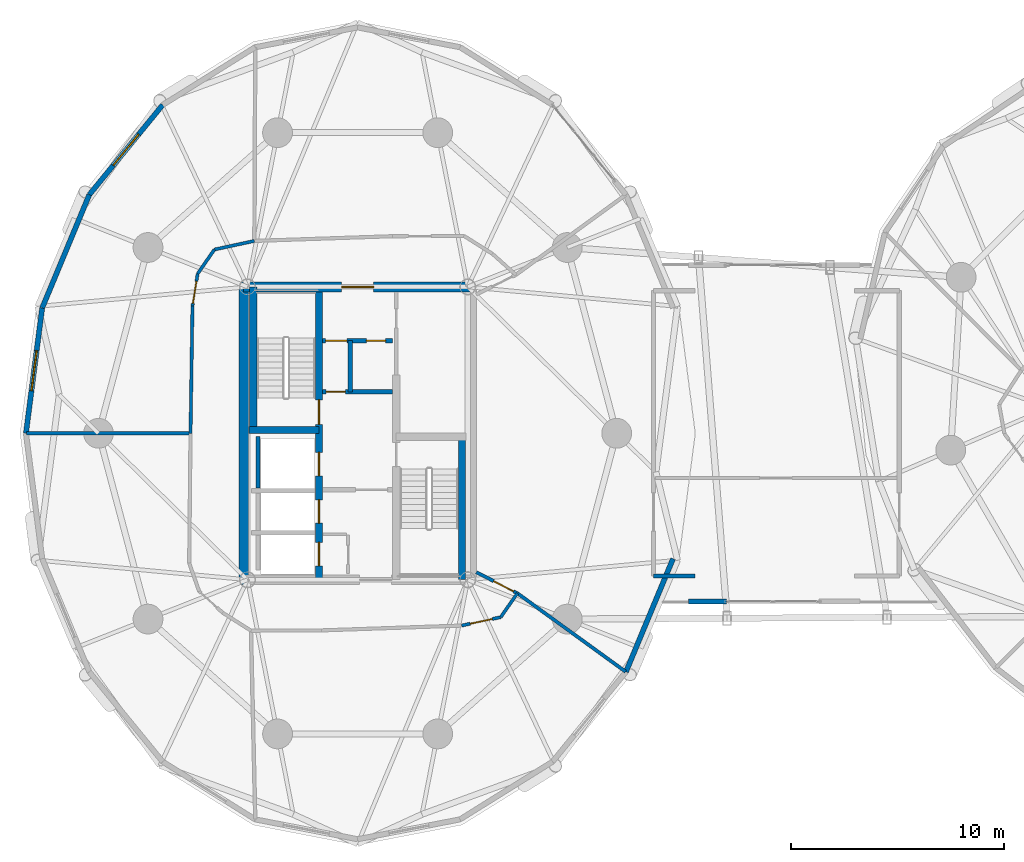
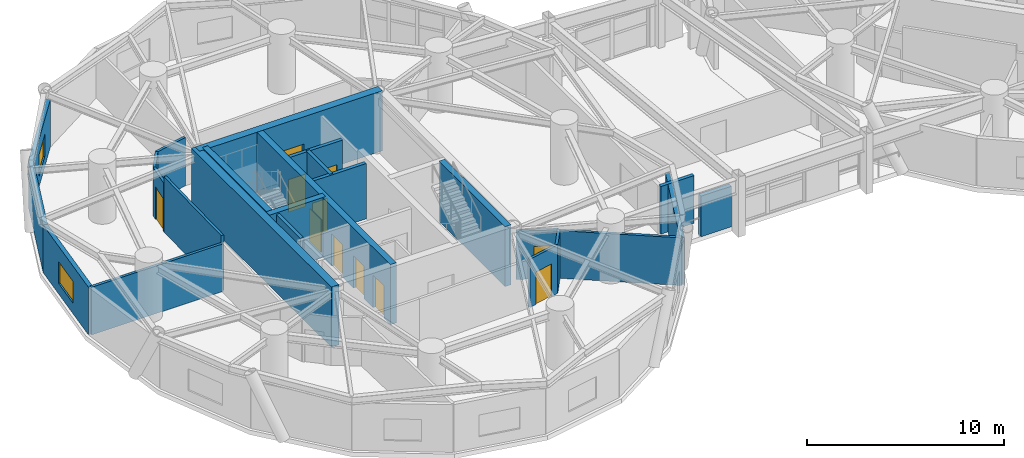
# One storey, part 13 of 19: 25 walls, 11 doors, 2 windows, 13 openings.
"""IFC4 building model written with IfcOpenShell, lengths in metres."""

from ifc_helpers import new_model, si_unit, direction, frame, frame_2d, origin, place, context, subcontext, project, spatial, rectangle, extrude, source, transform, mapped, material, layer, layer_set, type_object, element, fill, save


model = new_model("IFC4")

# Units and contexts
model_context = context("Model", 3, precision=1e-05, world=origin(), true_north=direction((0.0, 1.0)))
body_context = subcontext(model_context, "Body", "Model", "MODEL_VIEW")
ifc_project = project(units=[si_unit("LENGTHUNIT", "METRE"), si_unit("AREAUNIT", "SQUARE_METRE"), si_unit("VOLUMEUNIT", "CUBIC_METRE"), si_unit("PLANEANGLEUNIT", "RADIAN"), si_unit("MASSUNIT", "GRAM", prefix="KILO")], contexts=[model_context])

# Site, building, storey
site_placement = place(None, origin())
site = spatial("IfcSite", under=ifc_project, at=site_placement, CompositionType="ELEMENT")
building_placement = place(site_placement, origin())
building = spatial("IfcBuilding", under=site, at=building_placement, Name="Cununo Teusaquillo Station Towers", CompositionType="ELEMENT")
storey_placement = place(building_placement, frame((0.0, 0.0, 136.60009765625)))
storey = spatial("IfcBuildingStorey", under=building, at=storey_placement, Name="L43", CompositionType="ELEMENT", Elevation=136.60009765625)

# Wall
ifc_material_1 = material(Name="Concrete C50/60", Category="concrete")
ifc_layer_1 = layer(ifc_material_1, 0.199951171875)
ifc_layer_set_1 = layer_set([ifc_layer_1], Name="Concrete C50/60")
wall_type_1 = type_object("IfcWallType", Name="WL-CORE-200", PredefinedType="SHEAR", material=ifc_layer_set_1)
wall_1_placement = place(storey_placement, frame((11.820068359375, 21.919921875, 0.0), z_axis=(0.0, 0.0, 1.0), x_axis=(0.0, 1.0, 0.0)))
element("IfcWall", 1, at=wall_1_placement, inside=storey, type_object=wall_type_1, Name="L43 Tower A Firefighting Lift Shaft Rear Shear Wall", PredefinedType="SHEAR", context=body_context, shape_type="SweptSolid", body=[
    extrude(rectangle(XDim=2.440185546875, YDim=0.199951171875, at=frame_2d((1.22021484375, 0.0))), origin(), (0.0, 0.0, 1.0), 3.719970703125),
])

# Wall, openings, doors
ifc_material_2 = material(Name="Concrete C50/60", Category="concrete")
ifc_layer_2 = layer(ifc_material_2, 0.35009765625)
ifc_layer_set_2 = layer_set([ifc_layer_2], Name="Concrete C50/60")
wall_type_2 = type_object("IfcWallType", Name="WL-CORE-350", PredefinedType="SHEAR", material=ifc_layer_set_2)
wall_2_placement = place(storey_placement, frame((14.68505859375, 17.625, 0.0), z_axis=(0.0, 0.0, 1.0), x_axis=(0.0, 1.0, 0.0)))
wall_2 = element("IfcWall", 2, at=wall_2_placement, inside=storey, type_object=wall_type_2, Name="L43 Tower A Core Shear Wall IW", PredefinedType="SHEAR", context=body_context, shape_type="SweptSolid", body=[
    extrude(rectangle(XDim=13.75, YDim=0.35009765625, at=frame_2d((6.875, 0.0))), origin(), (0.0, 0.0, 1.0), 3.719970703125),
])
shared_shape_1 = source(origin(), body_context, "Body", "SweptSolid", [
    extrude(rectangle(XDim=1.10009765625, YDim=2.014892578125, at=frame_2d((0.550048828125, 1.00732421875))), frame((0.0, 0.18505859375, 0.0), z_axis=(0.0, -1.0, 0.0), x_axis=(1.0, 0.0, 0.0)), (0.0, 0.0, 1.0), 0.3701171875),
])
opening_1_placement = place(wall_2_placement, frame((4.875, 0.0, 0.0)))
opening_1 = element("IfcOpeningElement", 3, at=opening_1_placement, cuts=wall_2, Name="Opening LD-01", PredefinedType="OPENING", context=body_context, shape_type="MappedRepresentation", body=[
    mapped(shared_shape_1, transform((0.0, 0.0, 0.0), x_axis=(1.0, 0.0, 0.0), y_axis=(0.0, 1.0, 0.0), z_axis=(0.0, 0.0, 1.0), scale=1.0)),
])
opening_2_placement = place(wall_2_placement, frame((0.64990234375, 0.0, 0.0)))
opening_2 = element("IfcOpeningElement", 4, at=opening_2_placement, cuts=wall_2, Name="Opening LD-01", PredefinedType="OPENING", context=body_context, shape_type="MappedRepresentation", body=[
    mapped(shared_shape_1, transform((0.0, 0.0, 0.0), x_axis=(1.0, 0.0, 0.0), y_axis=(0.0, 1.0, 0.0), z_axis=(0.0, 0.0, 1.0), scale=1.0)),
])
opening_3_placement = place(wall_2_placement, frame((2.64990234375, 0.0, 0.0)))
opening_3 = element("IfcOpeningElement", 5, at=opening_3_placement, cuts=wall_2, Name="Opening LD-01", PredefinedType="OPENING", context=body_context, shape_type="MappedRepresentation", body=[
    mapped(shared_shape_1, transform((0.0, 0.0, 0.0), x_axis=(1.0, 0.0, 0.0), y_axis=(0.0, 1.0, 0.0), z_axis=(0.0, 0.0, 1.0), scale=1.0)),
])
shared_shape_2 = source(origin(), body_context, "Body", "SweptSolid", [
    extrude(rectangle(XDim=1.14990234375, YDim=2.02001953125, at=frame_2d((0.574951171875, 1.010009765625))), frame((0.0, 0.18505859375, 0.0), z_axis=(0.0, -1.0, 0.0), x_axis=(1.0, 0.0, 0.0)), (0.0, 0.0, 1.0), 0.3701171875),
])
opening_4_placement = place(wall_2_placement, frame((7.294921875, 0.0, 0.0)))
opening_4 = element("IfcOpeningElement", 6, at=opening_4_placement, cuts=wall_2, Name="Opening D-ST1", PredefinedType="OPENING", context=body_context, shape_type="MappedRepresentation", body=[
    mapped(shared_shape_2, transform((0.0, 0.0, 0.0), x_axis=(1.0, 0.0, 0.0), y_axis=(0.0, 1.0, 0.0), z_axis=(0.0, 0.0, 1.0), scale=1.0)),
])
ifc_material_3 = material(Name="Galvanised fire-rated hollow steel door assembly", Category="steel")
door_type_1 = type_object("IfcDoorType", Name="DR-LIFT-1100", OperationType="SLIDING_TO_LEFT", PredefinedType="DOOR", material=ifc_material_3)
shared_shape_3 = source(origin(), body_context, "Body", "SweptSolid", [
    extrude(rectangle(XDim=1.10009765625, YDim=2.014892578125, at=frame_2d((0.550048828125, 1.00732421875))), frame((0.0, 0.02490234375, 0.0), z_axis=(0.0, -1.0, 0.0), x_axis=(1.0, 0.0, 0.0)), (0.0, 0.0, 1.0), 0.050048828125),
])
door_1_placement = place(opening_1_placement, origin())
door_1 = element("IfcDoor", 7, at=door_1_placement, inside=storey, type_object=door_type_1, Name="L43 Lift FL-T1 Sliding Landing Door", OperationType="SLIDING_TO_RIGHT", OverallHeight=2.014892578125, OverallWidth=1.10009765625, PredefinedType="DOOR", context=body_context, shape_type="MappedRepresentation", body=[
    mapped(shared_shape_3, transform((0.0, 0.0, 0.0), x_axis=(1.0, 0.0, 0.0), y_axis=(0.0, 1.0, 0.0), z_axis=(0.0, 0.0, 1.0), scale=1.0)),
])
fill(opening_1, door_1)
door_2_placement = place(opening_2_placement, origin())
door_2 = element("IfcDoor", 8, at=door_2_placement, inside=storey, type_object=door_type_1, Name="L43 Lift PL-T1-H1 Sliding Landing Door", OperationType="SLIDING_TO_RIGHT", OverallHeight=2.014892578125, OverallWidth=1.10009765625, PredefinedType="DOOR", context=body_context, shape_type="MappedRepresentation", body=[
    mapped(shared_shape_3, transform((0.0, 0.0, 0.0), x_axis=(1.0, 0.0, 0.0), y_axis=(0.0, 1.0, 0.0), z_axis=(0.0, 0.0, 1.0), scale=1.0)),
])
fill(opening_2, door_2)
door_3_placement = place(opening_3_placement, origin())
door_3 = element("IfcDoor", 9, at=door_3_placement, inside=storey, type_object=door_type_1, Name="L43 Lift PL-T1-H2 Sliding Landing Door", OperationType="SLIDING_TO_LEFT", OverallHeight=2.014892578125, OverallWidth=1.10009765625, PredefinedType="DOOR", context=body_context, shape_type="MappedRepresentation", body=[
    mapped(shared_shape_3, transform((0.0, 0.0, 0.0), x_axis=(1.0, 0.0, 0.0), y_axis=(0.0, 1.0, 0.0), z_axis=(0.0, 0.0, 1.0), scale=1.0)),
])
fill(opening_3, door_3)
ifc_material_4 = material(Name="Galvanised fire-rated hollow steel door assembly", Category="steel")
door_type_2 = type_object("IfcDoorType", Name="DR-STAIR-1150", OperationType="NOTDEFINED", PredefinedType="DOOR", material=ifc_material_4)
shared_shape_4 = source(origin(), body_context, "Body", "SweptSolid", [
    extrude(rectangle(XDim=1.14990234375, YDim=2.02001953125, at=frame_2d((0.574951171875, 1.010009765625))), frame((0.0, 0.02490234375, 0.0), z_axis=(0.0, -1.0, 0.0), x_axis=(1.0, 0.0, 0.0)), (0.0, 0.0, 1.0), 0.050048828125),
])
door_4_placement = place(opening_4_placement, origin())
door_4 = element("IfcDoor", 10, at=door_4_placement, inside=storey, type_object=door_type_2, Name="L43 Tower A Exit Stair 1 Fire Door", OperationType="SINGLE_SWING_RIGHT", OverallHeight=2.02001953125, OverallWidth=1.14990234375, PredefinedType="DOOR", context=body_context, shape_type="MappedRepresentation", body=[
    mapped(shared_shape_4, transform((0.0, 0.0, 0.0), x_axis=(1.0, 0.0, 0.0), y_axis=(0.0, 1.0, 0.0), z_axis=(0.0, 0.0, 1.0), scale=1.0)),
])
fill(opening_4, door_4)

# Walls
wall_3_placement = place(storey_placement, frame((11.594970703125, 24.655029296875, 0.0), z_axis=(0.0, 0.0, 1.0), x_axis=(0.0, 1.0, 0.0)))
element("IfcWall", 11, at=wall_3_placement, inside=storey, type_object=wall_type_2, Name="L43 Tower A Core Shear Wall ST1W", PredefinedType="SHEAR", context=body_context, shape_type="SweptSolid", body=[
    extrude(rectangle(XDim=6.719970703125, YDim=0.35009765625, at=frame_2d((3.35986328125, 0.0))), origin(), (0.0, 0.0, 1.0), 3.719970703125),
])
wall_4_placement = place(storey_placement, frame((11.39990234375, 24.655029296875, 0.0), z_axis=(0.0, 0.0, 1.0), x_axis=(1.0, 0.0, 0.0)))
element("IfcWall", 12, at=wall_4_placement, inside=storey, type_object=wall_type_2, Name="L43 Tower A Core Shear Wall ST1S", PredefinedType="SHEAR", context=body_context, shape_type="SweptSolid", body=[
    extrude(rectangle(XDim=3.28515625, YDim=0.35009765625, at=frame_2d((1.642578125, 0.0))), origin(), (0.0, 0.0, 1.0), 3.719970703125),
])
wall_5_placement = place(storey_placement, frame((21.405029296875, 17.625, 0.0), z_axis=(0.0, 0.0, 1.0), x_axis=(0.0, 1.0, 0.0)))
element("IfcWall", 13, at=wall_5_placement, inside=storey, type_object=wall_type_2, Name="L43 Tower A Core Shear Wall ST2E", PredefinedType="SHEAR", context=body_context, shape_type="SweptSolid", body=[
    extrude(rectangle(XDim=6.719970703125, YDim=0.35009765625, at=frame_2d((3.35986328125, 0.0))), origin(), (0.0, 0.0, 1.0), 3.719970703125),
])
ifc_material_5 = material(Name="Concrete C60/75", Category="concrete")
ifc_layer_3 = layer(ifc_material_5, 0.449951171875)
ifc_layer_set_3 = layer_set([ifc_layer_3], Name="Concrete C60/75")
wall_type_3 = type_object("IfcWallType", Name="WL-CORE-450", PredefinedType="SHEAR", material=ifc_layer_set_3)
wall_6_placement = place(storey_placement, frame((11.14990234375, 17.39990234375, 0.0), z_axis=(0.0, 0.0, 1.0), x_axis=(0.0, 1.0, 0.0)))
element("IfcWall", 14, at=wall_6_placement, inside=storey, type_object=wall_type_3, Name="L43 Tower A Core Shear Wall W", PredefinedType="SHEAR", context=body_context, shape_type="SweptSolid", body=[
    extrude(rectangle(XDim=14.2001953125, YDim=0.449951171875, at=frame_2d((7.10009765625, 0.0))), origin(), (0.0, 0.0, 1.0), 3.719970703125),
])

# Wall, opening, door
wall_7_placement = place(storey_placement, frame((11.14990234375, 31.375, 0.0), z_axis=(0.0, 0.0, 1.0), x_axis=(1.0, 0.0, 0.0)))
wall_7 = element("IfcWall", 15, at=wall_7_placement, inside=storey, type_object=wall_type_3, Name="L43 Tower A Core Shear Wall N", PredefinedType="SHEAR", context=body_context, shape_type="SweptSolid", body=[
    extrude(rectangle(XDim=10.7001953125, YDim=0.449951171875, at=frame_2d((5.35009765625, 0.0))), origin(), (0.0, 0.0, 1.0), 3.719970703125),
])
shared_shape_5 = source(origin(), body_context, "Body", "SweptSolid", [
    extrude(rectangle(XDim=1.5, YDim=2.02001953125, at=frame_2d((0.75, 1.010009765625))), frame((0.0, 0.23486328125, 0.0), z_axis=(0.0, -1.0, 0.0), x_axis=(1.0, 0.0, 0.0)), (0.0, 0.0, 1.0), 0.469970703125),
])
opening_5_placement = place(wall_7_placement, frame((4.60009765625, 0.0, 0.0)))
opening_5 = element("IfcOpeningElement", 16, at=opening_5_placement, cuts=wall_7, Name="Opening D-LB1", PredefinedType="OPENING", context=body_context, shape_type="MappedRepresentation", body=[
    mapped(shared_shape_5, transform((0.0, 0.0, 0.0), x_axis=(1.0, 0.0, 0.0), y_axis=(0.0, 1.0, 0.0), z_axis=(0.0, 0.0, 1.0), scale=1.0)),
])
ifc_material_6 = material(Name="Galvanised fire-rated hollow steel door assembly", Category="steel")
door_type_3 = type_object("IfcDoorType", Name="DR-LOBBY-1500", OperationType="DOUBLE_DOOR_SINGLE_SWING", PredefinedType="DOOR", material=ifc_material_6)
shared_shape_6 = source(origin(), body_context, "Body", "SweptSolid", [
    extrude(rectangle(XDim=1.5, YDim=2.02001953125, at=frame_2d((0.75, 1.010009765625))), frame((0.0, 0.02490234375, 0.0), z_axis=(0.0, -1.0, 0.0), x_axis=(1.0, 0.0, 0.0)), (0.0, 0.0, 1.0), 0.050048828125),
])
door_5_placement = place(opening_5_placement, origin())
door_5 = element("IfcDoor", 17, at=door_5_placement, inside=storey, type_object=door_type_3, Name="L43 Tower A North Core Lift Lobby Door", OperationType="DOUBLE_DOOR_SINGLE_SWING", OverallHeight=2.02001953125, OverallWidth=1.5, PredefinedType="DOOR", context=body_context, shape_type="MappedRepresentation", body=[
    mapped(shared_shape_6, transform((0.0, 0.0, 0.0), x_axis=(1.0, 0.0, 0.0), y_axis=(0.0, 1.0, 0.0), z_axis=(0.0, 0.0, 1.0), scale=1.0)),
])
fill(opening_5, door_5)

# Wall, opening, window
ifc_material_7 = material(Name="Precast concrete C40/50", Category="concrete")
ifc_layer_4 = layer(ifc_material_7, 0.239990234375)
ifc_layer_set_4 = layer_set([ifc_layer_4], Name="Precast concrete C40/50")
wall_type_4 = type_object("IfcWallType", Name="WL-EXT-240", PredefinedType="SOLIDWALL", material=ifc_layer_set_4)
wall_8_placement = place(storey_placement, frame((3.894775390625, 35.708984375, 0.0), z_axis=(0.0, 0.0, 1.0), x_axis=(0.632700781152, 0.77439635945, 0.0)))
wall_8 = element("IfcWall", 18, at=wall_8_placement, inside=storey, type_object=wall_type_4, Name="L43 Tower A Exterior Facade Wall C07", PredefinedType="SOLIDWALL", context=body_context, shape_type="SweptSolid", body=[
    extrude(rectangle(XDim=5.447998046875, YDim=0.239990234375, at=frame_2d((2.72412109375, 0.0))), origin(), (0.0, 0.0, 1.0), 2.948974609375),
])
shared_shape_7 = source(origin(), body_context, "Body", "SweptSolid", [
    extrude(rectangle(XDim=1.89990234375, YDim=1.35009765625, at=frame_2d((0.949951171875, 0.675048828125))), frame((0.0, 0.1298828125, 0.0), z_axis=(0.0, -1.0, 0.0), x_axis=(1.0, 0.0, 0.0)), (0.0, 0.0, 1.0), 0.260009765625),
])
opening_6_placement = place(wall_8_placement, frame((1.77392578125, 0.0, 0.64990234375)))
opening_6 = element("IfcOpeningElement", 19, at=opening_6_placement, cuts=wall_8, Name="Opening WN-02", PredefinedType="OPENING", context=body_context, shape_type="MappedRepresentation", body=[
    mapped(shared_shape_7, transform((0.0, 0.0, 0.0), x_axis=(1.0, 0.0, 0.0), y_axis=(0.0, 1.0, 0.0), z_axis=(0.0, 0.0, 1.0), scale=1.0)),
])
ifc_material_8 = material(Name="Operable acoustic tinted low-E double glazing", Category="glass")
window_type = type_object("IfcWindowType", Name="WIN-OPER-1900", PartitioningType="DOUBLE_PANEL_VERTICAL", PredefinedType="WINDOW", material=ifc_material_8)
shared_shape_8 = source(origin(), body_context, "Body", "SweptSolid", [
    extrude(rectangle(XDim=1.89990234375, YDim=1.35009765625, at=frame_2d((0.949951171875, 0.675048828125))), frame((0.0, 0.030029296875, 0.0), z_axis=(0.0, -1.0, 0.0), x_axis=(1.0, 0.0, 0.0)), (0.0, 0.0, 1.0), 0.06005859375),
])
window_1_placement = place(opening_6_placement, origin())
window_1 = element("IfcWindow", 20, at=window_1_placement, inside=storey, type_object=window_type, Name="L43 Tower A Facade Window C07", OverallHeight=1.35009765625, OverallWidth=1.89990234375, PartitioningType="DOUBLE_PANEL_VERTICAL", PredefinedType="WINDOW", context=body_context, shape_type="MappedRepresentation", body=[
    mapped(shared_shape_8, transform((0.0, 0.0, 0.0), x_axis=(1.0, 0.0, 0.0), y_axis=(0.0, 1.0, 0.0), z_axis=(0.0, 0.0, 1.0), scale=1.0)),
])
fill(opening_6, window_1)

# Wall
wall_9_placement = place(storey_placement, frame((1.681640625, 30.39306640625, 0.0), z_axis=(0.0, 0.0, 1.0), x_axis=(0.384344417632, 0.923189779317, 0.0)))
element("IfcWall", 21, at=wall_9_placement, inside=storey, type_object=wall_type_4, Name="L43 Tower A Exterior Facade Wall C08", PredefinedType="SOLIDWALL", context=body_context, shape_type="SweptSolid", body=[
    extrude(rectangle(XDim=5.75830078125, YDim=0.239990234375, at=frame_2d((2.879150390625, 0.0))), origin(), (0.0, 0.0, 1.0), 2.948974609375),
])

# Wall, opening, window
wall_10_placement = place(storey_placement, frame((0.9189453125, 24.5, 0.0), z_axis=(0.0, 0.0, 1.0), x_axis=(0.128351991996, 0.991728675672, 0.0)))
wall_10 = element("IfcWall", 22, at=wall_10_placement, inside=storey, type_object=wall_type_4, Name="L43 Tower A Exterior Facade Wall C09", PredefinedType="SOLIDWALL", context=body_context, shape_type="SweptSolid", body=[
    extrude(rectangle(XDim=5.942138671875, YDim=0.239990234375, at=frame_2d((2.97119140625, 0.0))), origin(), (0.0, 0.0, 1.0), 2.948974609375),
])
opening_7_placement = place(wall_10_placement, frame((2.02099609375, 0.0, 0.64990234375)))
opening_7 = element("IfcOpeningElement", 23, at=opening_7_placement, cuts=wall_10, Name="Opening WN-02", PredefinedType="OPENING", context=body_context, shape_type="MappedRepresentation", body=[
    mapped(shared_shape_7, transform((0.0, 0.0, 0.0), x_axis=(1.0, 0.0, 0.0), y_axis=(0.0, 1.0, 0.0), z_axis=(0.0, 0.0, 1.0), scale=1.0)),
])
window_2_placement = place(opening_7_placement, origin())
window_2 = element("IfcWindow", 24, at=window_2_placement, inside=storey, type_object=window_type, Name="L43 Tower A Facade Window C09", OverallHeight=1.35009765625, OverallWidth=1.89990234375, PartitioningType="DOUBLE_PANEL_VERTICAL", PredefinedType="WINDOW", context=body_context, shape_type="MappedRepresentation", body=[
    mapped(shared_shape_8, transform((0.0, 0.0, 0.0), x_axis=(1.0, 0.0, 0.0), y_axis=(0.0, 1.0, 0.0), z_axis=(0.0, 0.0, 1.0), scale=1.0)),
])
fill(opening_7, window_2)

# Walls
wall_11_placement = place(storey_placement, frame((31.318359375, 18.60693359375, 0.0), z_axis=(0.0, 0.0, 1.0), x_axis=(-0.384344417632, -0.923189779317, 0.0)))
element("IfcWall", 25, at=wall_11_placement, inside=storey, type_object=wall_type_4, Name="L43 Tower A Exterior Facade Wall C18", PredefinedType="SOLIDWALL", context=body_context, shape_type="SweptSolid", body=[
    extrude(rectangle(XDim=5.75830078125, YDim=0.239990234375, at=frame_2d((2.879150390625, 0.0))), origin(), (0.0, 0.0, 1.0), 2.948974609375),
])
wall_12_placement = place(storey_placement, frame((33.820068359375, 16.60009765625, 0.0), z_axis=(0.0, 0.0, 1.0), x_axis=(-1.0, 0.0, 0.0)))
element("IfcWall", 26, at=wall_12_placement, inside=storey, type_object=wall_type_4, Name="L43 Mid-Bridge S End Spandrel B", PredefinedType="SOLIDWALL", context=body_context, shape_type="SweptSolid", body=[
    extrude(rectangle(XDim=1.77001953125, YDim=0.239990234375, at=frame_2d((0.885009765625, 0.0))), origin(), (0.0, 0.0, 1.0), 2.511962890625),
])
ifc_material_9 = material(Name="Fire-rated gypsum plasterboard partition assembly", Category="gypsum")
ifc_layer_5 = layer(ifc_material_9, 0.14990234375)
ifc_layer_set_5 = layer_set([ifc_layer_5], Name="Fire-rated gypsum plasterboard partition assembly")
wall_type_5 = type_object("IfcWallType", Name="WL-PART-150", PredefinedType="PARTITIONING", material=ifc_layer_set_5)
wall_13_placement = place(storey_placement, frame((11.650390625, 33.53857421875, 0.0), z_axis=(0.0, 0.0, 1.0), x_axis=(-0.977535921581, -0.210768882949, 0.0)))
element("IfcWall", 27, at=wall_13_placement, inside=storey, type_object=wall_type_5, Name="L43 Tower A Corridor Ring Wall C06", PredefinedType="PARTITIONING", context=body_context, shape_type="SweptSolid", body=[
    extrude(rectangle(XDim=1.9228515625, YDim=0.14990234375, at=frame_2d((0.96142578125, 0.0))), origin(), (0.0, 0.0, 1.0), 2.994873046875),
])
wall_14_placement = place(storey_placement, frame((9.770751953125, 33.13330078125, 0.0), z_axis=(0.0, 0.0, 1.0), x_axis=(-0.568464531016, -0.822707771312, 0.0)))
element("IfcWall", 28, at=wall_14_placement, inside=storey, type_object=wall_type_5, Name="L43 Tower A Corridor Ring Wall C07", PredefinedType="PARTITIONING", context=body_context, shape_type="SweptSolid", body=[
    extrude(rectangle(XDim=1.3798828125, YDim=0.14990234375, at=frame_2d((0.68994140625, 0.0))), origin(), (0.0, 0.0, 1.0), 2.994873046875),
])

# Wall, opening, door
wall_15_placement = place(storey_placement, frame((8.986328125, 31.998046875, 0.0), z_axis=(0.0, 0.0, 1.0), x_axis=(-0.158992972351, -0.98727971454, 0.0)))
wall_15 = element("IfcWall", 29, at=wall_15_placement, inside=storey, type_object=wall_type_5, Name="L43 Tower A Corridor Ring Wall C08", PredefinedType="PARTITIONING", context=body_context, shape_type="SweptSolid", body=[
    extrude(rectangle(XDim=1.53857421875, YDim=0.14990234375, at=frame_2d((0.769287109375, 0.0))), origin(), (0.0, 0.0, 1.0), 2.994873046875),
])
shared_shape_9 = source(origin(), body_context, "Body", "SweptSolid", [
    extrude(rectangle(XDim=1.050048828125, YDim=2.014892578125, at=frame_2d((0.52490234375, 1.00732421875))), frame((0.0, 0.0849609375, 0.0), z_axis=(0.0, -1.0, 0.0), x_axis=(1.0, 0.0, 0.0)), (0.0, 0.0, 1.0), 0.169921875),
])
opening_8_placement = place(wall_15_placement, frame((0.36865234375, 0.0, 0.0)))
opening_8 = element("IfcOpeningElement", 30, at=opening_8_placement, cuts=wall_15, Name="Opening D-SU1", PredefinedType="OPENING", context=body_context, shape_type="MappedRepresentation", body=[
    mapped(shared_shape_9, transform((0.0, 0.0, 0.0), x_axis=(1.0, 0.0, 0.0), y_axis=(0.0, 1.0, 0.0), z_axis=(0.0, 0.0, 1.0), scale=1.0)),
])
ifc_material_10 = material(Name="Acoustic solid-core hardwood leaf assembly", Category="wood")
door_type_4 = type_object("IfcDoorType", Name="DR-SUITE-1050", OperationType="NOTDEFINED", PredefinedType="DOOR", material=ifc_material_10)
shared_shape_10 = source(origin(), body_context, "Body", "SweptSolid", [
    extrude(rectangle(XDim=1.050048828125, YDim=2.014892578125, at=frame_2d((0.52490234375, 1.00732421875))), frame((0.0, 0.02490234375, 0.0), z_axis=(0.0, -1.0, 0.0), x_axis=(1.0, 0.0, 0.0)), (0.0, 0.0, 1.0), 0.050048828125),
])
door_6_placement = place(opening_8_placement, origin())
door_6 = element("IfcDoor", 31, at=door_6_placement, inside=storey, type_object=door_type_4, Name="L43 Tower A Andean Coffee & Pastry Salon Entrance Door", OperationType="SINGLE_SWING_RIGHT", OverallHeight=2.014892578125, OverallWidth=1.050048828125, PredefinedType="DOOR", context=body_context, shape_type="MappedRepresentation", body=[
    mapped(shared_shape_10, transform((0.0, 0.0, 0.0), x_axis=(1.0, 0.0, 0.0), y_axis=(0.0, 1.0, 0.0), z_axis=(0.0, 0.0, 1.0), scale=1.0)),
])
fill(opening_8, door_6)

# Wall
wall_16_placement = place(storey_placement, frame((8.74169921875, 30.47900390625, 0.0), z_axis=(0.0, 0.0, 1.0), x_axis=(-0.015351396174, -0.999882160375, 0.0)))
element("IfcWall", 32, at=wall_16_placement, inside=storey, type_object=wall_type_5, Name="L43 Tower A Corridor Ring Wall C09", PredefinedType="PARTITIONING", context=body_context, shape_type="SweptSolid", body=[
    extrude(rectangle(XDim=5.979736328125, YDim=0.14990234375, at=frame_2d((2.98974609375, 0.0))), origin(), (0.0, 0.0, 1.0), 3.4248046875),
])

# Wall, opening, door
wall_17_placement = place(storey_placement, frame((21.387939453125, 15.467529296875, 0.0), z_axis=(0.0, 0.0, 1.0), x_axis=(0.977672748596, 0.210133283069, 0.0)))
wall_17 = element("IfcWall", 33, at=wall_17_placement, inside=storey, type_object=wall_type_5, Name="L43 Tower A Corridor Ring Wall C16", PredefinedType="PARTITIONING", context=body_context, shape_type="SweptSolid", body=[
    extrude(rectangle(XDim=1.87646484375, YDim=0.14990234375, at=frame_2d((0.938232421875, 0.0))), origin(), (0.0, 0.0, 1.0), 2.994873046875),
])
opening_9_placement = place(wall_17_placement, frame((0.4130859375, 0.0, 0.0)))
opening_9 = element("IfcOpeningElement", 34, at=opening_9_placement, cuts=wall_17, Name="Opening D-SU1", PredefinedType="OPENING", context=body_context, shape_type="MappedRepresentation", body=[
    mapped(shared_shape_9, transform((0.0, 0.0, 0.0), x_axis=(1.0, 0.0, 0.0), y_axis=(0.0, 1.0, 0.0), z_axis=(0.0, 0.0, 1.0), scale=1.0)),
])
door_7_placement = place(opening_9_placement, origin())
door_7 = element("IfcDoor", 35, at=door_7_placement, inside=storey, type_object=door_type_4, Name="L43 Tower A Executive Sky-Bridge Club Lounge Entrance Door", OperationType="SINGLE_SWING_RIGHT", OverallHeight=2.014892578125, OverallWidth=1.050048828125, PredefinedType="DOOR", context=body_context, shape_type="MappedRepresentation", body=[
    mapped(shared_shape_10, transform((0.0, 0.0, 0.0), x_axis=(1.0, 0.0, 0.0), y_axis=(0.0, 1.0, 0.0), z_axis=(0.0, 0.0, 1.0), scale=1.0)),
])
fill(opening_9, door_7)

# Walls
wall_18_placement = place(storey_placement, frame((23.222412109375, 15.86181640625, 0.0), z_axis=(0.0, 0.0, 1.0), x_axis=(0.571941738195, 0.820294244836, 0.0)))
element("IfcWall", 36, at=wall_18_placement, inside=storey, type_object=wall_type_5, Name="L43 Tower A Corridor Ring Wall C17", PredefinedType="PARTITIONING", context=body_context, shape_type="SweptSolid", body=[
    extrude(rectangle(XDim=1.369384765625, YDim=0.14990234375, at=frame_2d((0.6845703125, 0.0))), origin(), (0.0, 0.0, 1.0), 2.994873046875),
])
ifc_material_11 = material(Name="Fire-rated gypsum plasterboard partition assembly", Category="gypsum")
ifc_layer_6 = layer(ifc_material_11, 0.159912109375)
ifc_layer_set_6 = layer_set([ifc_layer_6], Name="Fire-rated gypsum plasterboard partition assembly")
wall_type_6 = type_object("IfcWallType", Name="WL-PART-160", PredefinedType="PARTITIONING", material=ifc_layer_set_6)
wall_19_placement = place(storey_placement, frame((8.64990234375, 24.5, 0.0), z_axis=(0.0, 0.0, 1.0), x_axis=(-1.0, 0.0, 0.0)))
element("IfcWall", 37, at=wall_19_placement, inside=storey, type_object=wall_type_6, Name="L43 Tower A Radial Suite Partition R03", PredefinedType="PARTITIONING", context=body_context, shape_type="SweptSolid", body=[
    extrude(rectangle(XDim=7.7109375, YDim=0.159912109375, at=frame_2d((3.85546875, 0.0))), origin(), (0.0, 0.0, 1.0), 2.948974609375),
])
wall_20_placement = place(storey_placement, frame((24.005615234375, 16.985107421875, 0.0), z_axis=(0.0, 0.0, 1.0), x_axis=(0.809849730791, -0.586637378231, 0.0)))
element("IfcWall", 38, at=wall_20_placement, inside=storey, type_object=wall_type_6, Name="L43 Tower A Radial Suite Partition R05", PredefinedType="PARTITIONING", context=body_context, shape_type="SweptSolid", body=[
    extrude(rectangle(XDim=6.277099609375, YDim=0.159912109375, at=frame_2d((3.138671875, 0.0))), origin(), (0.0, 0.0, 1.0), 2.948974609375),
])

# Wall, opening, door
wall_21_placement = place(storey_placement, frame((22.074951171875, 17.97509765625, 0.0), z_axis=(0.0, 0.0, 1.0), x_axis=(0.889835034782, -0.456282380632, 0.0)))
wall_21 = element("IfcWall", 39, at=wall_21_placement, inside=storey, type_object=wall_type_6, Name="L43 Tower A East Salon Corridor Portal Wall SE", PredefinedType="PARTITIONING", context=body_context, shape_type="SweptSolid", body=[
    extrude(rectangle(XDim=2.169677734375, YDim=0.159912109375, at=frame_2d((1.0849609375, 0.0))), origin(), (0.0, 0.0, 1.0), 2.994873046875),
])
shared_shape_11 = source(origin(), body_context, "Body", "SweptSolid", [
    extrude(rectangle(XDim=1.050048828125, YDim=2.014892578125, at=frame_2d((0.52490234375, 1.00732421875))), frame((0.0, 0.08984375, 0.0), z_axis=(0.0, -1.0, 0.0), x_axis=(1.0, 0.0, 0.0)), (0.0, 0.0, 1.0), 0.179931640625),
])
opening_10_placement = place(wall_21_placement, frame((0.919677734375, 0.0, 0.0)))
opening_10 = element("IfcOpeningElement", 40, at=opening_10_placement, cuts=wall_21, Name="Opening D-SU1", PredefinedType="OPENING", context=body_context, shape_type="MappedRepresentation", body=[
    mapped(shared_shape_11, transform((0.0, 0.0, 0.0), x_axis=(1.0, 0.0, 0.0), y_axis=(0.0, 1.0, 0.0), z_axis=(0.0, 0.0, 1.0), scale=1.0)),
])
door_8_placement = place(opening_10_placement, origin())
door_8 = element("IfcDoor", 41, at=door_8_placement, inside=storey, type_object=door_type_4, Name="L43 Tower A East Panorama Sky Salon Door SE", OperationType="SINGLE_SWING_RIGHT", OverallHeight=2.014892578125, OverallWidth=1.050048828125, PredefinedType="DOOR", context=body_context, shape_type="MappedRepresentation", body=[
    mapped(shared_shape_10, transform((0.0, 0.0, 0.0), x_axis=(1.0, 0.0, 0.0), y_axis=(0.0, 1.0, 0.0), z_axis=(0.0, 0.0, 1.0), scale=1.0)),
])
fill(opening_10, door_8)

# Wall
ifc_material_12 = material(Name="Fire-rated gypsum plasterboard partition assembly", Category="gypsum")
ifc_layer_7 = layer(ifc_material_12, 0.199951171875)
ifc_layer_set_7 = layer_set([ifc_layer_7], Name="Fire-rated gypsum plasterboard partition assembly")
wall_type_7 = type_object("IfcWallType", Name="WL-PART-200", PredefinedType="PARTITIONING", material=ifc_layer_set_7)
wall_22_placement = place(storey_placement, frame((30.39990234375, 17.800048828125, 0.0), z_axis=(0.0, 0.0, 1.0), x_axis=(1.0, 0.0, 0.0)))
element("IfcWall", 42, at=wall_22_placement, inside=storey, type_object=wall_type_7, Name="L43 Mid-Bridge Portal Return Wall WS", PredefinedType="PARTITIONING", context=body_context, shape_type="SweptSolid", body=[
    extrude(rectangle(XDim=1.9501953125, YDim=0.199951171875, at=frame_2d((0.97509765625, 0.0))), origin(), (0.0, 0.0, 1.0), 2.948974609375),
])

# Wall, opening, door
wall_23_placement = place(storey_placement, frame((14.860107421875, 26.449951171875, 0.0), z_axis=(0.0, 0.0, 1.0), x_axis=(1.0, 0.0, 0.0)))
wall_23 = element("IfcWall", 43, at=wall_23_placement, inside=storey, type_object=wall_type_7, Name="L43 Tower A Firefighting Lift Lobby North Fire Wall", PredefinedType="PARTITIONING", context=body_context, shape_type="SweptSolid", body=[
    extrude(rectangle(XDim=3.27978515625, YDim=0.199951171875, at=frame_2d((1.639892578125, 0.0))), origin(), (0.0, 0.0, 1.0), 3.4248046875),
])
shared_shape_12 = source(origin(), body_context, "Body", "SweptSolid", [
    extrude(rectangle(XDim=0.89990234375, YDim=2.0048828125, at=frame_2d((0.449951171875, 1.00244140625))), frame((0.0, 0.10986328125, 0.0), z_axis=(0.0, -1.0, 0.0), x_axis=(1.0, 0.0, 0.0)), (0.0, 0.0, 1.0), 0.219970703125),
])
opening_11_placement = place(wall_23_placement, frame((0.159912109375, 0.0, 0.0)))
opening_11 = element("IfcOpeningElement", 44, at=opening_11_placement, cuts=wall_23, Name="Opening D-SR1", PredefinedType="OPENING", context=body_context, shape_type="MappedRepresentation", body=[
    mapped(shared_shape_12, transform((0.0, 0.0, 0.0), x_axis=(1.0, 0.0, 0.0), y_axis=(0.0, 1.0, 0.0), z_axis=(0.0, 0.0, 1.0), scale=1.0)),
])
ifc_material_13 = material(Name="Galvanised fire-rated hollow steel door assembly", Category="steel")
door_type_5 = type_object("IfcDoorType", Name="DR-STORE-900", OperationType="NOTDEFINED", PredefinedType="DOOR", material=ifc_material_13)
shared_shape_13 = source(origin(), body_context, "Body", "SweptSolid", [
    extrude(rectangle(XDim=0.89990234375, YDim=2.0048828125, at=frame_2d((0.449951171875, 1.00244140625))), frame((0.0, 0.02490234375, 0.0), z_axis=(0.0, -1.0, 0.0), x_axis=(1.0, 0.0, 0.0)), (0.0, 0.0, 1.0), 0.050048828125),
])
door_9_placement = place(opening_11_placement, origin())
door_9 = element("IfcDoor", 45, at=door_9_placement, inside=storey, type_object=door_type_5, Name="L43 Tower A Stair 1 Protected Vestibule South Door", OperationType="SINGLE_SWING_RIGHT", OverallHeight=2.0048828125, OverallWidth=0.89990234375, PredefinedType="DOOR", context=body_context, shape_type="MappedRepresentation", body=[
    mapped(shared_shape_13, transform((0.0, 0.0, 0.0), x_axis=(1.0, 0.0, 0.0), y_axis=(0.0, 1.0, 0.0), z_axis=(0.0, 0.0, 1.0), scale=1.0)),
])
fill(opening_11, door_9)

# Wall
wall_24_placement = place(storey_placement, frame((16.14990234375, 26.449951171875, 0.0), z_axis=(0.0, 0.0, 1.0), x_axis=(0.0, 1.0, 0.0)))
element("IfcWall", 46, at=wall_24_placement, inside=storey, type_object=wall_type_7, Name="L43 Tower A Stair 1 Vestibule Partition Wall", PredefinedType="PARTITIONING", context=body_context, shape_type="SweptSolid", body=[
    extrude(rectangle(XDim=2.400146484375, YDim=0.199951171875, at=frame_2d((1.2001953125, 0.0))), origin(), (0.0, 0.0, 1.0), 3.4248046875),
])

# Wall, openings, doors
wall_25_placement = place(storey_placement, frame((14.860107421875, 28.85009765625, 0.0), z_axis=(0.0, 0.0, 1.0), x_axis=(1.0, 0.0, 0.0)))
wall_25 = element("IfcWall", 47, at=wall_25_placement, inside=storey, type_object=wall_type_7, Name="L43 Tower A North Lift Lobby South Fire Wall", PredefinedType="PARTITIONING", context=body_context, shape_type="SweptSolid", body=[
    extrude(rectangle(XDim=3.27978515625, YDim=0.199951171875, at=frame_2d((1.639892578125, 0.0))), origin(), (0.0, 0.0, 1.0), 3.4248046875),
])
shared_shape_14 = source(origin(), body_context, "Body", "SweptSolid", [
    extrude(rectangle(XDim=1.0, YDim=2.014892578125, at=frame_2d((0.5, 1.00732421875))), frame((0.0, 0.10986328125, 0.0), z_axis=(0.0, -1.0, 0.0), x_axis=(1.0, 0.0, 0.0)), (0.0, 0.0, 1.0), 0.219970703125),
])
opening_12_placement = place(wall_25_placement, frame((0.139892578125, 0.0, 0.0)))
opening_12 = element("IfcOpeningElement", 48, at=opening_12_placement, cuts=wall_25, Name="Opening D-AC1", PredefinedType="OPENING", context=body_context, shape_type="MappedRepresentation", body=[
    mapped(shared_shape_14, transform((0.0, 0.0, 0.0), x_axis=(1.0, 0.0, 0.0), y_axis=(0.0, 1.0, 0.0), z_axis=(0.0, 0.0, 1.0), scale=1.0)),
])
opening_13_placement = place(wall_25_placement, frame((2.050048828125, 0.0, 0.0)))
opening_13 = element("IfcOpeningElement", 49, at=opening_13_placement, cuts=wall_25, Name="Opening D-SR1", PredefinedType="OPENING", context=body_context, shape_type="MappedRepresentation", body=[
    mapped(shared_shape_12, transform((0.0, 0.0, 0.0), x_axis=(1.0, 0.0, 0.0), y_axis=(0.0, 1.0, 0.0), z_axis=(0.0, 0.0, 1.0), scale=1.0)),
])
door_10_placement = place(opening_13_placement, origin())
door_10 = element("IfcDoor", 50, at=door_10_placement, inside=storey, type_object=door_type_5, Name="L43 Tower A Core Housekeeping & Linen Store Door", OperationType="SINGLE_SWING_LEFT", OverallHeight=2.0048828125, OverallWidth=0.89990234375, PredefinedType="DOOR", context=body_context, shape_type="MappedRepresentation", body=[
    mapped(shared_shape_13, transform((0.0, 0.0, 0.0), x_axis=(1.0, 0.0, 0.0), y_axis=(0.0, 1.0, 0.0), z_axis=(0.0, 0.0, 1.0), scale=1.0)),
])
fill(opening_13, door_10)
ifc_material_14 = material(Name="Acoustic solid-core hardwood leaf assembly", Category="wood")
door_type_6 = type_object("IfcDoorType", Name="DR-ACC-1000", OperationType="NOTDEFINED", PredefinedType="DOOR", material=ifc_material_14)
shared_shape_15 = source(origin(), body_context, "Body", "SweptSolid", [
    extrude(rectangle(XDim=1.0, YDim=2.014892578125, at=frame_2d((0.5, 1.00732421875))), frame((0.0, 0.02490234375, 0.0), z_axis=(0.0, -1.0, 0.0), x_axis=(1.0, 0.0, 0.0)), (0.0, 0.0, 1.0), 0.050048828125),
])
door_11_placement = place(opening_12_placement, origin())
door_11 = element("IfcDoor", 51, at=door_11_placement, inside=storey, type_object=door_type_6, Name="L43 Tower A North Lift Lobby to Stair 1 Vestibule Door", OperationType="SINGLE_SWING_LEFT", OverallHeight=2.014892578125, OverallWidth=1.0, PredefinedType="DOOR", context=body_context, shape_type="MappedRepresentation", body=[
    mapped(shared_shape_15, transform((0.0, 0.0, 0.0), x_axis=(1.0, 0.0, 0.0), y_axis=(0.0, 1.0, 0.0), z_axis=(0.0, 0.0, 1.0), scale=1.0)),
])
fill(opening_12, door_11)

save(model, "model.ifc")
